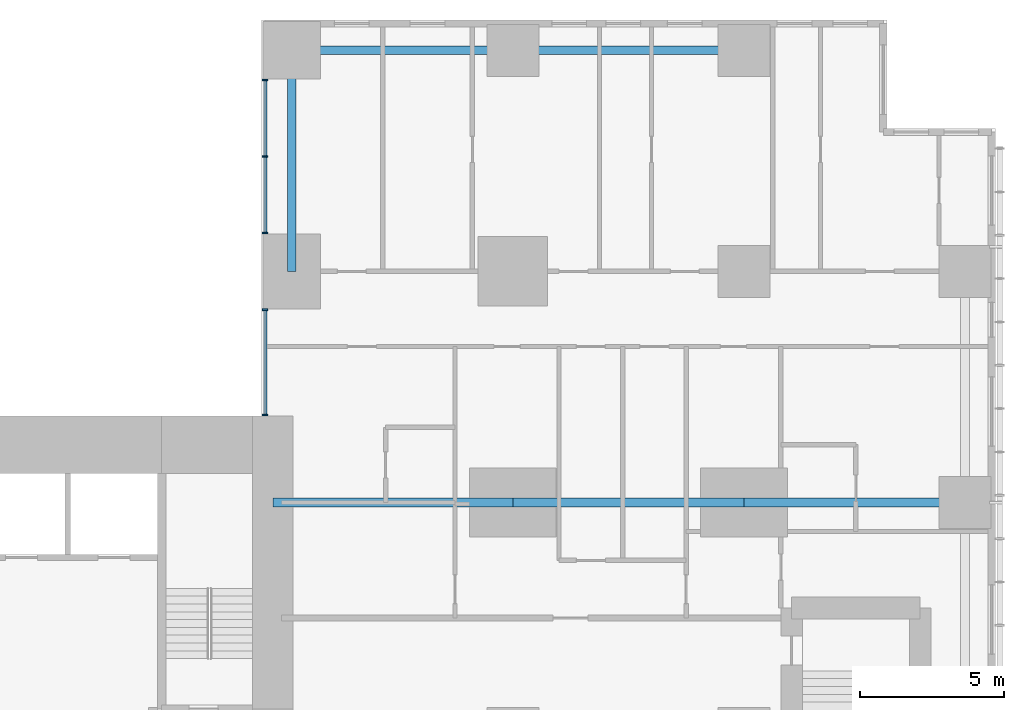
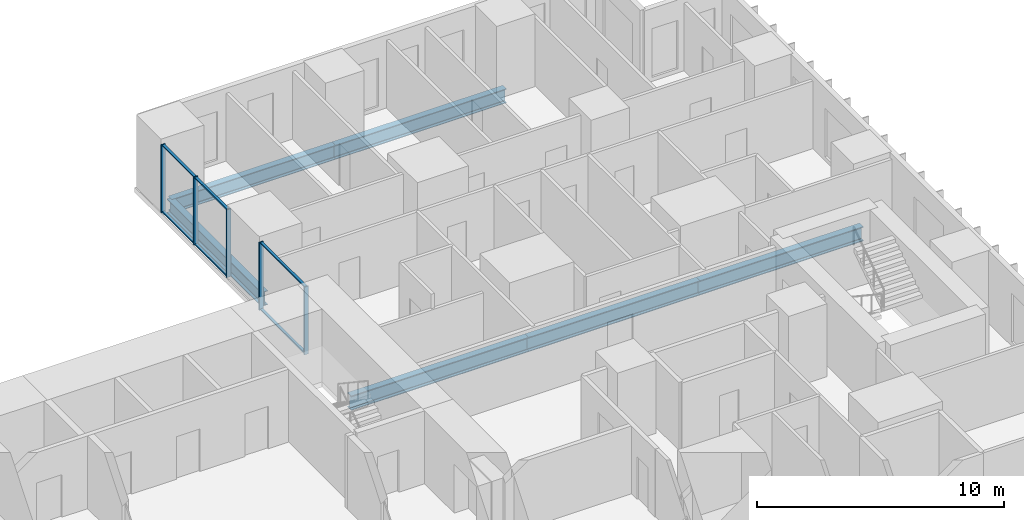
# One storey, part 5 of 20: 11 members, 6 beams, 2 elements without a shape of their own.
"""IFC4 building model written with IfcOpenShell, lengths in metres."""

from ifc_helpers import new_model, si_unit, direction, frame, origin, origin_2d, place, context, subcontext, project, spatial, rectangle, i_section, extrude, material, layer, layer_set, material_profile, profile_set, type_object, element, aggregate, save


model = new_model("IFC4")

# Units and contexts
model_context = context("Model", 3, precision=1e-05, world=origin(), true_north=direction((0.0, 1.0)))
body_context = subcontext(model_context, "Body", "Model", "MODEL_VIEW")
ifc_project = project(units=[si_unit("LENGTHUNIT", "METRE"), si_unit("AREAUNIT", "SQUARE_METRE"), si_unit("VOLUMEUNIT", "CUBIC_METRE"), si_unit("PLANEANGLEUNIT", "RADIAN"), si_unit("MASSUNIT", "GRAM", prefix="KILO")], contexts=[model_context])

# Site, building, storey
site_placement = place(None, origin())
site = spatial("IfcSite", under=ifc_project, at=site_placement, CompositionType="ELEMENT")
building_placement = place(site_placement, origin())
building = spatial("IfcBuilding", under=site, at=building_placement, Name="Cleftline Residences", CompositionType="ELEMENT")
storey_placement = place(building_placement, frame((0.0, 0.0, 189.39990234375)))
storey = spatial("IfcBuildingStorey", under=building, at=storey_placement, Name="L49", CompositionType="ELEMENT", Elevation=189.39990234375)

# Beams
ifc_material_1 = material(Name="Steel S355", Category="steel")
ifc_material_profile_1 = material_profile(ifc_material_1, i_section(OverallWidth=0.300048828125, OverallDepth=0.699951171875, WebThickness=0.01708984375, FlangeThickness=0.031982421875, FilletRadius=0.027099609375, at=origin_2d()))
ifc_profile_set_1 = profile_set([ifc_material_profile_1], Name="Steel S355")
beam_type_1 = type_object("IfcBeamType", Name="BEAM HEB 700", PredefinedType="BEAM", material=ifc_profile_set_1)
beam_1_placement = place(storey_placement, frame((58.0, 47.64990234375, -0.599853515625), z_axis=(-1.0, 0.0, 0.0), x_axis=(0.0, -1.0, 0.0)))
element("IfcBeam", 1, at=beam_1_placement, inside=storey, type_object=beam_type_1, Name="Edge beam", PredefinedType="BEAM", context=body_context, shape_type="SweptSolid", body=[
    extrude(i_section(OverallWidth=0.300048828125, OverallDepth=0.699951171875, WebThickness=0.01708984375, FlangeThickness=0.031982421875, FilletRadius=0.027099609375, at=origin_2d()), origin(), (0.0, 0.0, 1.0), 8.0),
])
for number, where, z_axis, x_axis, name in (
    (2, (50.0, 47.64990234375, -0.599853515625), (-1.0, 0.0, 0.0), (0.0, -1.0, 0.0), "Edge beam"),
    (3, (42.35009765625, 47.64990234375, -0.599853515625), (0.0, -1.0, 0.0), (1.0, 0.0, 0.0), "Edge beam"),
):
    element("IfcBeam", number, at=place(storey_placement, frame(where, z_axis=z_axis, x_axis=x_axis)), inside=storey, type_object=beam_type_1, Name=name, PredefinedType="BEAM", context=body_context, shape_type="SweptSolid", body=[
        extrude(i_section(OverallWidth=0.300048828125, OverallDepth=0.699951171875, WebThickness=0.01708984375, FlangeThickness=0.031982421875, FilletRadius=0.027099609375, at=origin_2d()), origin(), (0.0, 0.0, 1.0), 7.64990234375),
    ])
ifc_material_2 = material(Name="Steel S355", Category="steel")
ifc_material_profile_2 = material_profile(ifc_material_2, i_section(OverallWidth=0.303955078125, OverallDepth=0.716064453125, WebThickness=0.02099609375, FlangeThickness=0.0400390625, FilletRadius=0.027099609375, at=origin_2d()))
ifc_profile_set_2 = profile_set([ifc_material_profile_2], Name="Steel S355")
beam_type_2 = type_object("IfcBeamType", Name="BEAM HEM 700", PredefinedType="BEAM", material=ifc_profile_set_2)
beam_2_placement = place(storey_placement, frame((65.64990234375, 32.0, -0.60791015625), z_axis=(-1.0, 0.0, 0.0), x_axis=(0.0, -1.0, 0.0)))
element("IfcBeam", 4, at=beam_2_placement, inside=storey, type_object=beam_type_2, Name="Band beam", PredefinedType="BEAM", context=body_context, shape_type="SweptSolid", body=[
    extrude(i_section(OverallWidth=0.303955078125, OverallDepth=0.716064453125, WebThickness=0.02099609375, FlangeThickness=0.0400390625, FilletRadius=0.027099609375, at=origin_2d()), origin(), (0.0, 0.0, 1.0), 7.64990234375),
])
beam_3_placement = place(storey_placement, frame((58.0, 32.0, -0.60791015625), z_axis=(-1.0, 0.0, 0.0), x_axis=(0.0, -1.0, 0.0)))
element("IfcBeam", 5, at=beam_3_placement, inside=storey, type_object=beam_type_2, Name="Band beam", PredefinedType="BEAM", context=body_context, shape_type="SweptSolid", body=[
    extrude(i_section(OverallWidth=0.303955078125, OverallDepth=0.716064453125, WebThickness=0.02099609375, FlangeThickness=0.0400390625, FilletRadius=0.027099609375, at=origin_2d()), origin(), (0.0, 0.0, 1.0), 8.0),
])
beam_4_placement = place(storey_placement, frame((50.0, 32.0, -0.60791015625), z_axis=(-1.0, 0.0, 0.0), x_axis=(0.0, -1.0, 0.0)))
element("IfcBeam", 6, at=beam_4_placement, inside=storey, type_object=beam_type_2, Name="Band beam", PredefinedType="BEAM", context=body_context, shape_type="SweptSolid", body=[
    extrude(i_section(OverallWidth=0.303955078125, OverallDepth=0.716064453125, WebThickness=0.02099609375, FlangeThickness=0.0400390625, FilletRadius=0.027099609375, at=origin_2d()), origin(), (0.0, 0.0, 1.0), 8.300048828125),
])

# Curtain wall, members
ifc_material_3 = material(Name="Aluminium framed curtain wall", Category="aluminium")
ifc_layer = layer(ifc_material_3, 0.199951171875)
ifc_layer_set = layer_set([ifc_layer], Name="CW1 CLEFT GLAZING")
curtain_wall_type = type_object("IfcCurtainWallType", Name="CW1 CLEFT GLAZING", PredefinedType="NOTDEFINED", material=ifc_layer_set)
curtain_wall_1_placement = place(storey_placement, origin())
curtain_wall_1 = element("IfcCurtainWall", 7, at=curtain_wall_1_placement, inside=storey, type_object=curtain_wall_type, Name="Curtain wall CW1", PredefinedType="NOTDEFINED")
ifc_material_4 = material(Name="Aluminium mullion", Category="aluminium")
ifc_material_profile_3 = material_profile(ifc_material_4, rectangle(XDim=0.199951171875, YDim=0.06005859375, at=origin_2d()))
ifc_profile_set_3 = profile_set([ifc_material_profile_3], Name="Aluminium mullion")
member_type_1 = type_object("IfcMemberType", Name="CW1 MULLION", PredefinedType="MULLION", material=ifc_profile_set_3)
member_1_placement = place(storey_placement, frame((41.425048828125, 46.6201171875, 0.0), z_axis=(0.0, 0.0, 1.0), x_axis=(1.0, 0.0, 0.0)))
member_1 = element("IfcMember", 8, at=member_1_placement, type_object=member_type_1, Name="CW1 mullion 1", PredefinedType="MULLION", context=body_context, shape_type="SweptSolid", body=[
    extrude(rectangle(XDim=0.199951171875, YDim=0.06005859375, at=origin_2d()), origin(), (0.0, 0.0, 1.0), 3.35009765625),
])
member_2_placement = place(storey_placement, frame((41.425048828125, 43.97509765625, 0.0), z_axis=(0.0, 0.0, 1.0), x_axis=(1.0, 0.0, 0.0)))
member_2 = element("IfcMember", 9, at=member_2_placement, type_object=member_type_1, Name="CW1 mullion 2", PredefinedType="MULLION", context=body_context, shape_type="SweptSolid", body=[
    extrude(rectangle(XDim=0.199951171875, YDim=0.06005859375, at=origin_2d()), origin(), (0.0, 0.0, 1.0), 3.35009765625),
])
member_3_placement = place(storey_placement, frame((41.425048828125, 41.330078125, 0.0), z_axis=(0.0, 0.0, 1.0), x_axis=(1.0, 0.0, 0.0)))
member_3 = element("IfcMember", 10, at=member_3_placement, type_object=member_type_1, Name="CW1 mullion 3", PredefinedType="MULLION", context=body_context, shape_type="SweptSolid", body=[
    extrude(rectangle(XDim=0.199951171875, YDim=0.06005859375, at=origin_2d()), origin(), (0.0, 0.0, 1.0), 3.35009765625),
])

curtain_wall_2_placement = place(storey_placement, origin())
curtain_wall_2 = element("IfcCurtainWall", 11, at=curtain_wall_2_placement, inside=storey, type_object=curtain_wall_type, Name="Curtain wall CW1", PredefinedType="NOTDEFINED")
member_4_placement = place(storey_placement, frame((41.425048828125, 38.669921875, 0.0), z_axis=(0.0, 0.0, 1.0), x_axis=(1.0, 0.0, 0.0)))
member_4 = element("IfcMember", 12, at=member_4_placement, type_object=member_type_1, Name="CW1 mullion 1", PredefinedType="MULLION", context=body_context, shape_type="SweptSolid", body=[
    extrude(rectangle(XDim=0.199951171875, YDim=0.06005859375, at=origin_2d()), origin(), (0.0, 0.0, 1.0), 3.35009765625),
])
member_5_placement = place(storey_placement, frame((41.425048828125, 35.030029296875, 0.0), z_axis=(0.0, 0.0, 1.0), x_axis=(1.0, 0.0, 0.0)))
member_5 = element("IfcMember", 13, at=member_5_placement, type_object=member_type_1, Name="CW1 mullion 2", PredefinedType="MULLION", context=body_context, shape_type="SweptSolid", body=[
    extrude(rectangle(XDim=0.199951171875, YDim=0.06005859375, at=origin_2d()), origin(), (0.0, 0.0, 1.0), 3.35009765625),
])

# Member
ifc_material_5 = material(Name="Aluminium transom", Category="aluminium")
ifc_material_profile_4 = material_profile(ifc_material_5, rectangle(XDim=0.1201171875, YDim=0.06005859375, at=origin_2d()))
ifc_profile_set_4 = profile_set([ifc_material_profile_4], Name="Aluminium transom")
member_type_2 = type_object("IfcMemberType", Name="CW1 TRANSOM", PredefinedType="USERDEFINED", material=ifc_profile_set_4)
member_6_placement = place(storey_placement, frame((41.425048828125, 46.590087890625, 0.030029296875), z_axis=(0.0, -1.0, 0.0), x_axis=(1.0, 0.0, 0.0)))
member_6 = element("IfcMember", 14, at=member_6_placement, type_object=member_type_2, Name="CW1 transom 1.1", ObjectType="TRANSOM", PredefinedType="USERDEFINED", context=body_context, shape_type="SweptSolid", body=[
    extrude(rectangle(XDim=0.1201171875, YDim=0.06005859375, at=origin_2d()), origin(), (0.0, 0.0, 1.0), 2.585205078125),
])

member_7_placement = place(storey_placement, frame((41.425048828125, 46.590087890625, 3.320068359375), z_axis=(0.0, -1.0, 0.0), x_axis=(1.0, 0.0, 0.0)))
member_7 = element("IfcMember", 15, at=member_7_placement, type_object=member_type_2, Name="CW1 transom 1.2", ObjectType="TRANSOM", PredefinedType="USERDEFINED", context=body_context, shape_type="SweptSolid", body=[
    extrude(rectangle(XDim=0.1201171875, YDim=0.06005859375, at=origin_2d()), origin(), (0.0, 0.0, 1.0), 2.585205078125),
])

member_8_placement = place(storey_placement, frame((41.425048828125, 43.945068359375, 0.030029296875), z_axis=(0.0, -1.0, 0.0), x_axis=(1.0, 0.0, 0.0)))
member_8 = element("IfcMember", 16, at=member_8_placement, type_object=member_type_2, Name="CW1 transom 2.1", ObjectType="TRANSOM", PredefinedType="USERDEFINED", context=body_context, shape_type="SweptSolid", body=[
    extrude(rectangle(XDim=0.1201171875, YDim=0.06005859375, at=origin_2d()), origin(), (0.0, 0.0, 1.0), 2.5849609375),
])

member_9_placement = place(storey_placement, frame((41.425048828125, 43.945068359375, 3.320068359375), z_axis=(0.0, -1.0, 0.0), x_axis=(1.0, 0.0, 0.0)))
member_9 = element("IfcMember", 17, at=member_9_placement, type_object=member_type_2, Name="CW1 transom 2.2", ObjectType="TRANSOM", PredefinedType="USERDEFINED", context=body_context, shape_type="SweptSolid", body=[
    extrude(rectangle(XDim=0.1201171875, YDim=0.06005859375, at=origin_2d()), origin(), (0.0, 0.0, 1.0), 2.5849609375),
])

aggregate(curtain_wall_1, [member_1, member_2, member_3, member_6, member_7, member_8, member_9])

member_10_placement = place(storey_placement, frame((41.425048828125, 38.639892578125, 0.030029296875), z_axis=(0.0, -1.0, 0.0), x_axis=(1.0, 0.0, 0.0)))
member_10 = element("IfcMember", 18, at=member_10_placement, type_object=member_type_2, Name="CW1 transom 1.1", ObjectType="TRANSOM", PredefinedType="USERDEFINED", context=body_context, shape_type="SweptSolid", body=[
    extrude(rectangle(XDim=0.1201171875, YDim=0.06005859375, at=origin_2d()), origin(), (0.0, 0.0, 1.0), 3.579833984375),
])

member_11_placement = place(storey_placement, frame((41.425048828125, 38.639892578125, 3.320068359375), z_axis=(0.0, -1.0, 0.0), x_axis=(1.0, 0.0, 0.0)))
member_11 = element("IfcMember", 19, at=member_11_placement, type_object=member_type_2, Name="CW1 transom 1.2", ObjectType="TRANSOM", PredefinedType="USERDEFINED", context=body_context, shape_type="SweptSolid", body=[
    extrude(rectangle(XDim=0.1201171875, YDim=0.06005859375, at=origin_2d()), origin(), (0.0, 0.0, 1.0), 3.579833984375),
])

aggregate(curtain_wall_2, [member_4, member_5, member_10, member_11])

save(model, "model.ifc")
